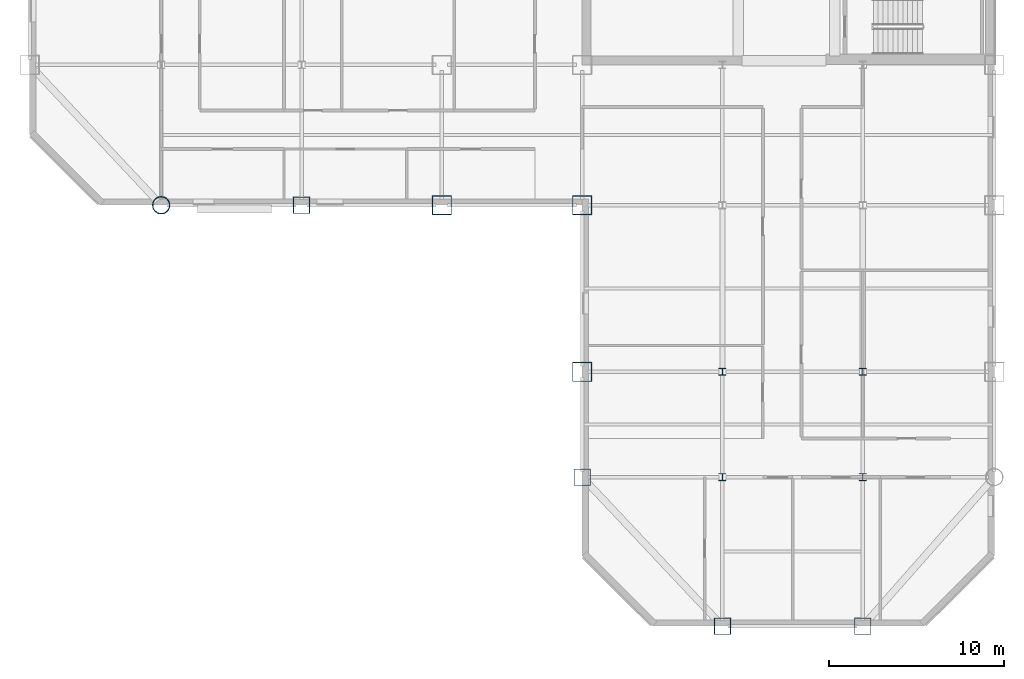
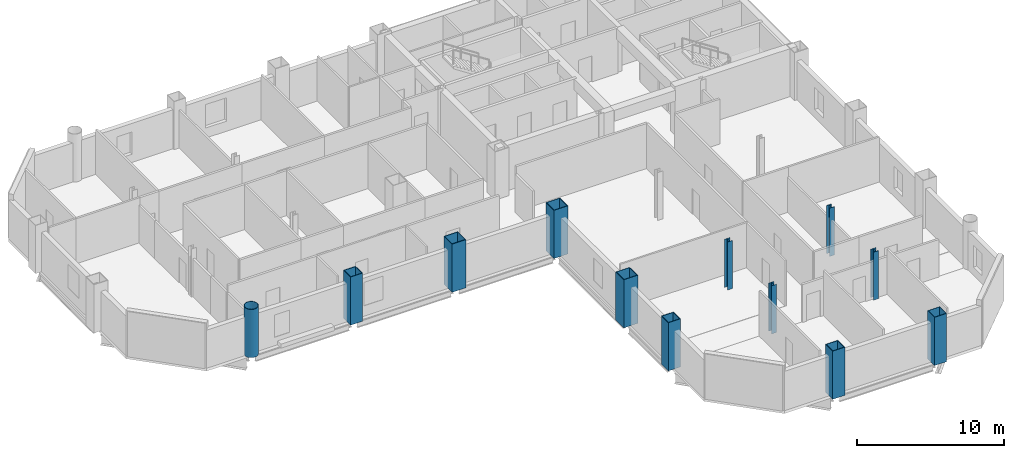
# One storey, part 1 of 10: 12 columns.
"""IFC4 building model written with IfcOpenShell, lengths in metres."""

from ifc_helpers import new_model, si_unit, direction, frame, origin, origin_2d, place, context, subcontext, project, spatial, hollow_rectangle, hollow_circle, i_section, extrude, material, material_profile, profile_set, type_object, element, save


model = new_model("IFC4")

# Units and contexts
model_context = context("Model", 3, precision=1e-05, world=origin(), true_north=direction((0.0, 1.0)))
body_context = subcontext(model_context, "Body", "Model", "MODEL_VIEW")
ifc_project = project(units=[si_unit("LENGTHUNIT", "METRE"), si_unit("AREAUNIT", "SQUARE_METRE"), si_unit("VOLUMEUNIT", "CUBIC_METRE"), si_unit("PLANEANGLEUNIT", "RADIAN"), si_unit("MASSUNIT", "GRAM", prefix="KILO")], contexts=[model_context])

# Site, building, storey
site_placement = place(None, origin())
site = spatial("IfcSite", under=ifc_project, at=site_placement, CompositionType="ELEMENT")
building_placement = place(site_placement, origin())
building = spatial("IfcBuilding", under=site, at=building_placement, Name="Qianrong Seaharbour Tower", CompositionType="ELEMENT")
storey_placement = place(building_placement, frame((0.0, 0.0, 183.0)))
storey = spatial("IfcBuildingStorey", under=building, at=storey_placement, Name="L44", CompositionType="ELEMENT", Elevation=183.0)

# Columns
ifc_material = material(Name="Structural steel SN490B", Category="steel")
ifc_material_profile_1 = material_profile(ifc_material, hollow_rectangle(XDim=1.10009765625, YDim=1.10009765625, WallThickness=0.0400390625, at=origin_2d()), Name="BOX1100x1100x40")
ifc_profile_set_1 = profile_set([ifc_material_profile_1], Name="Structural steel SN490B")
column_type_1 = type_object("IfcColumnType", Name="COL-CFT-1100", PredefinedType="COLUMN", material=ifc_profile_set_1)
for number, where, z_axis, x_axis, name in (
    (1, (32.5, 28.0, 0.0), (0.0, 0.0, 1.0), (1.0, 0.0, 0.0), "L44 Column MC-3 at G5/GE"),
    (2, (40.5, 18.5, 0.0), (0.0, 0.0, 1.0), (1.0, 0.0, 0.0), "L44 Column MC-3 at G6/GD"),
    (3, (40.5, 28.0, 0.0), (0.0, 0.0, 1.0), (1.0, 0.0, 0.0), "L44 Column MC-3 at G6/GE"),
):
    element("IfcColumn", number, at=place(storey_placement, frame(where, z_axis=z_axis, x_axis=x_axis)), inside=storey, type_object=column_type_1, Name=name, PredefinedType="COLUMN", context=body_context, shape_type="SweptSolid", body=[
        extrude(hollow_rectangle(XDim=1.10009765625, YDim=1.10009765625, WallThickness=0.0400390625, at=origin_2d()), origin(), (0.0, 0.0, 1.0), 4.0),
    ])
ifc_material_profile_2 = material_profile(ifc_material, hollow_circle(Radius=0.5, WallThickness=0.035888671875, at=origin_2d()), Name="CHS1000x36")
ifc_profile_set_2 = profile_set([ifc_material_profile_2], Name="Structural steel SN490B")
column_type_2 = type_object("IfcColumnType", Name="COL-CHS-1000", PredefinedType="COLUMN", material=ifc_profile_set_2)
column_placement = place(storey_placement, frame((16.5, 28.0, 0.0), z_axis=(0.0, 0.0, 1.0), x_axis=(1.0, 0.0, 0.0)))
element("IfcColumn", 4, at=column_placement, inside=storey, type_object=column_type_2, Name="L44 Column CC-2 at G3/GE", PredefinedType="COLUMN", context=body_context, shape_type="SweptSolid", body=[
    extrude(hollow_circle(Radius=0.5, WallThickness=0.035888671875, at=origin_2d()), origin(), (0.0, 0.0, 1.0), 4.0),
])
ifc_material_profile_3 = material_profile(ifc_material, i_section(OverallWidth=0.39990234375, OverallDepth=0.39990234375, WebThickness=0.012939453125, FlangeThickness=0.02099609375, FilletRadius=0.02197265625, at=origin_2d()), Name="H400x400x13x21")
ifc_profile_set_3 = profile_set([ifc_material_profile_3], Name="Structural steel SN490B")
column_type_3 = type_object("IfcColumnType", Name="COL-INT-H400", PredefinedType="COLUMN", material=ifc_profile_set_3)
for number, where, z_axis, x_axis, name in (
    (5, (48.5, 12.5, 0.0), (0.0, 0.0, 1.0), (1.0, 0.0, 0.0), "L44 Column IC-3 at G7/GC"),
    (6, (48.5, 18.5, 0.0), (0.0, 0.0, 1.0), (1.0, 0.0, 0.0), "L44 Column IC-3 at G7/GD"),
    (7, (56.5, 12.5, 0.0), (0.0, 0.0, 1.0), (1.0, 0.0, 0.0), "L44 Column IC-3 at G8/GC"),
    (8, (56.5, 18.5, 0.0), (0.0, 0.0, 1.0), (1.0, 0.0, 0.0), "L44 Column IC-3 at G8/GD"),
):
    element("IfcColumn", number, at=place(storey_placement, frame(where, z_axis=z_axis, x_axis=x_axis)), inside=storey, type_object=column_type_3, Name=name, PredefinedType="COLUMN", context=body_context, shape_type="SweptSolid", body=[
        extrude(i_section(OverallWidth=0.39990234375, OverallDepth=0.39990234375, WebThickness=0.012939453125, FlangeThickness=0.02099609375, FilletRadius=0.02197265625, at=origin_2d()), origin(), (0.0, 0.0, 1.0), 4.0),
    ])
ifc_material_profile_4 = material_profile(ifc_material, hollow_rectangle(XDim=0.949951171875, YDim=0.949951171875, WallThickness=0.035888671875, at=origin_2d()), Name="BOX950x950x36")
ifc_profile_set_4 = profile_set([ifc_material_profile_4], Name="Structural steel SN490B")
column_type_4 = type_object("IfcColumnType", Name="COL-PER-950", PredefinedType="COLUMN", material=ifc_profile_set_4)
for number, where, z_axis, x_axis, name in (
    (9, (24.5, 28.0, 0.0), (0.0, 0.0, 1.0), (1.0, 0.0, 0.0), "L44 Column PC-2 at G4/GE"),
    (10, (40.5, 12.5, 0.0), (0.0, 0.0, 1.0), (1.0, 0.0, 0.0), "L44 Column PC-2 at G6/GC"),
    (11, (48.5, 4.0, 0.0), (0.0, 0.0, 1.0), (1.0, 0.0, 0.0), "L44 Column PC-2 at G7/GB"),
    (12, (56.5, 4.0, 0.0), (0.0, 0.0, 1.0), (1.0, 0.0, 0.0), "L44 Column PC-2 at G8/GB"),
):
    element("IfcColumn", number, at=place(storey_placement, frame(where, z_axis=z_axis, x_axis=x_axis)), inside=storey, type_object=column_type_4, Name=name, PredefinedType="COLUMN", context=body_context, shape_type="SweptSolid", body=[
        extrude(hollow_rectangle(XDim=0.949951171875, YDim=0.949951171875, WallThickness=0.035888671875, at=origin_2d()), origin(), (0.0, 0.0, 1.0), 4.0),
    ])

save(model, "model.ifc")
